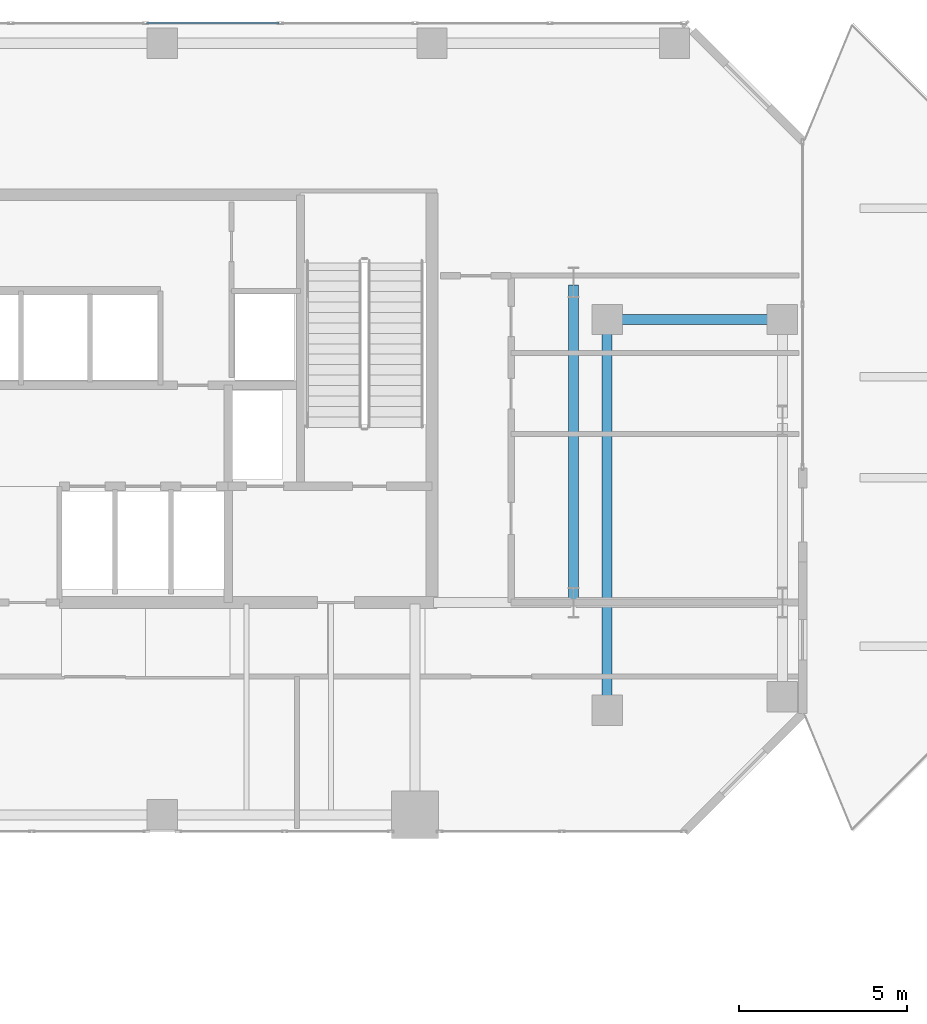
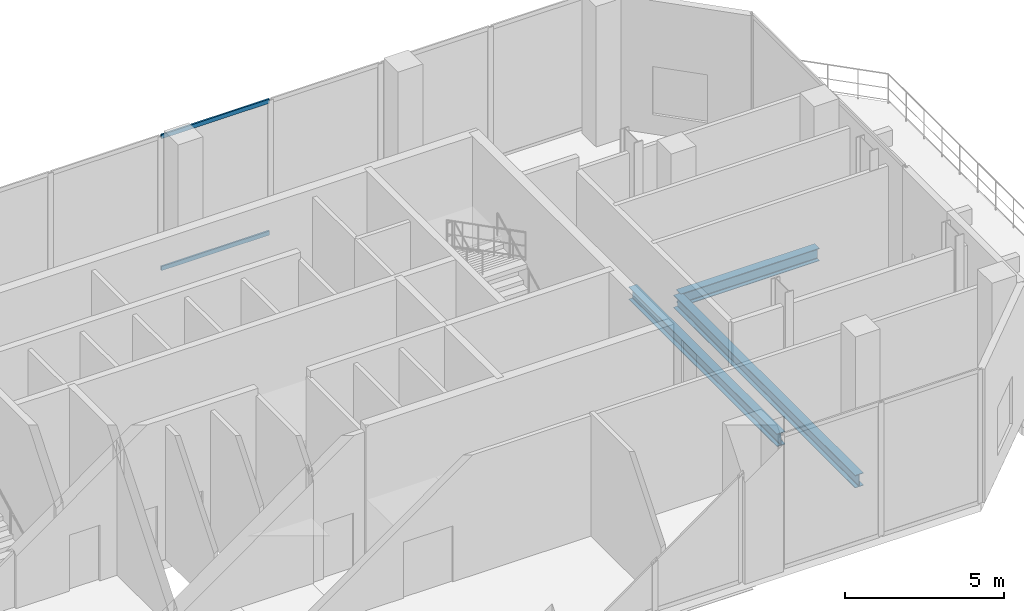
# One storey, part 16 of 24: 3 beams, 2 members, 1 element without a shape of its own.
"""IFC4 building model written with IfcOpenShell, lengths in metres."""

from ifc_helpers import new_model, si_unit, direction, frame, origin, origin_2d, place, context, subcontext, project, spatial, hollow_rectangle, i_section, extrude, material, layer, layer_set, material_profile, profile_set, type_object, element, aggregate, save


model = new_model("IFC4")

# Units and contexts
model_context = context("Model", 3, precision=1e-05, world=origin(), true_north=direction((0.0, 1.0)))
body_context = subcontext(model_context, "Body", "Model", "MODEL_VIEW")
ifc_project = project(units=[si_unit("LENGTHUNIT", "METRE"), si_unit("AREAUNIT", "SQUARE_METRE"), si_unit("VOLUMEUNIT", "CUBIC_METRE"), si_unit("PLANEANGLEUNIT", "RADIAN"), si_unit("MASSUNIT", "GRAM", prefix="KILO")], contexts=[model_context])

# Site, building, storey
site_placement = place(None, origin())
site = spatial("IfcSite", under=ifc_project, at=site_placement, CompositionType="ELEMENT")
building_placement = place(site_placement, origin())
building = spatial("IfcBuilding", under=site, at=building_placement, Name="Catumbela Crestline Tower", CompositionType="ELEMENT")
storey_placement = place(building_placement, frame((0.0, 0.0, 84.6)))
storey = spatial("IfcBuildingStorey", under=building, at=storey_placement, Name="L21", CompositionType="ELEMENT", Elevation=84.6)

# Beams
ifc_material_1 = material(Name="Structural steel S355J2", Category="steel")
ifc_material_profile_1 = material_profile(ifc_material_1, i_section(OverallWidth=0.3, OverallDepth=0.49, WebThickness=0.012, FlangeThickness=0.023, FilletRadius=0.027, at=origin_2d()), Name="HEA 500")
ifc_profile_set_1 = profile_set([ifc_material_profile_1], Name="Structural steel S355J2")
beam_type = type_object("IfcBeamType", Name="BG-HEA500", PredefinedType="BEAM", material=ifc_profile_set_1)
beam_1_placement = place(storey_placement, frame((45.28, 39.2, -0.595), z_axis=(1.0, 0.0, 0.0), x_axis=(0.0, 1.0, 0.0)))
element("IfcBeam", 1, at=beam_1_placement, inside=storey, type_object=beam_type, Name="L21 Beam BM-L21-N16", PredefinedType="BEAM", context=body_context, shape_type="SweptSolid", body=[
    extrude(i_section(OverallWidth=0.3, OverallDepth=0.49, WebThickness=0.012, FlangeThickness=0.023, FilletRadius=0.027, at=origin_2d()), origin(), (0.0, 0.0, 1.0), 5.04),
])
beam_2_placement = place(storey_placement, frame((44.2, 30.88, -0.595), z_axis=(0.0, 1.0, 0.0), x_axis=(-1.0, 0.0, 0.0)))
element("IfcBeam", 2, at=beam_2_placement, inside=storey, type_object=beam_type, Name="L21 Beam BM-L21-SN32", PredefinedType="BEAM", context=body_context, shape_type="SweptSolid", body=[
    extrude(i_section(OverallWidth=0.3, OverallDepth=0.49, WebThickness=0.012, FlangeThickness=0.023, FilletRadius=0.027, at=origin_2d()), origin(), (0.0, 0.0, 1.0), 9.34),
])
beam_3_placement = place(storey_placement, frame((45.2, 27.68, -0.595), z_axis=(0.0, 1.0, 0.0), x_axis=(-1.0, 0.0, 0.0)))
element("IfcBeam", 3, at=beam_3_placement, inside=storey, type_object=beam_type, Name="L21 Beam BM-L21-SN33", PredefinedType="BEAM", context=body_context, shape_type="SweptSolid", body=[
    extrude(i_section(OverallWidth=0.3, OverallDepth=0.49, WebThickness=0.012, FlangeThickness=0.023, FilletRadius=0.027, at=origin_2d()), origin(), (0.0, 0.0, 1.0), 11.44),
])

# Curtain wall, members
ifc_material_2 = material(Name="Aluminium alloy AW-6060-T66", Category="aluminium")
ifc_layer = layer(ifc_material_2, 0.18, Name="Aluminium alloy AW-6060-T66")
ifc_layer_set = layer_set([ifc_layer], Name="Aluminium alloy AW-6060-T66")
curtain_wall_type = type_object("IfcCurtainWallType", Name="CWU-SKY", PredefinedType="USERDEFINED", material=ifc_layer_set)
curtain_wall_placement = place(storey_placement, origin())
curtain_wall = element("IfcCurtainWall", 4, at=curtain_wall_placement, inside=storey, type_object=curtain_wall_type, Name="L21 Unitised Curtain Wall CW-L21-E7S1", ObjectType="UNITISED", PredefinedType="USERDEFINED")
ifc_material_profile_2 = material_profile(ifc_material_2, hollow_rectangle(XDim=0.06, YDim=0.16, WallThickness=0.004, at=origin_2d()), Name="ALU 160x60x4")
ifc_profile_set_2 = profile_set([ifc_material_profile_2], Name="Aluminium alloy AW-6060-T66")
member_type = type_object("IfcMemberType", Name="TRN-160X60", PredefinedType="USERDEFINED", material=ifc_profile_set_2)
member_1_placement = place(storey_placement, frame((35.4675, 48.0, 0.03), z_axis=(-1.0, 0.0, 0.0), x_axis=(0.0, -1.0, 0.0)))
member_1 = element("IfcMember", 5, at=member_1_placement, type_object=member_type, Name="CWU-SKY transom 4.1", ObjectType="TRANSOM", PredefinedType="USERDEFINED", context=body_context, shape_type="SweptSolid", body=[
    extrude(hollow_rectangle(XDim=0.06, YDim=0.16, WallThickness=0.004, at=origin_2d()), origin(), (0.0, 0.0, 1.0), 3.935),
])
member_2_placement = place(storey_placement, frame((35.4675, 48.0, 5.1), z_axis=(-1.0, 0.0, 0.0), x_axis=(0.0, -1.0, 0.0)))
member_2 = element("IfcMember", 6, at=member_2_placement, type_object=member_type, Name="CWU-SKY transom 4.2", ObjectType="TRANSOM", PredefinedType="USERDEFINED", context=body_context, shape_type="SweptSolid", body=[
    extrude(hollow_rectangle(XDim=0.06, YDim=0.16, WallThickness=0.004, at=origin_2d()), origin(), (0.0, 0.0, 1.0), 3.935),
])
aggregate(curtain_wall, [member_1, member_2])

save(model, "model.ifc")
